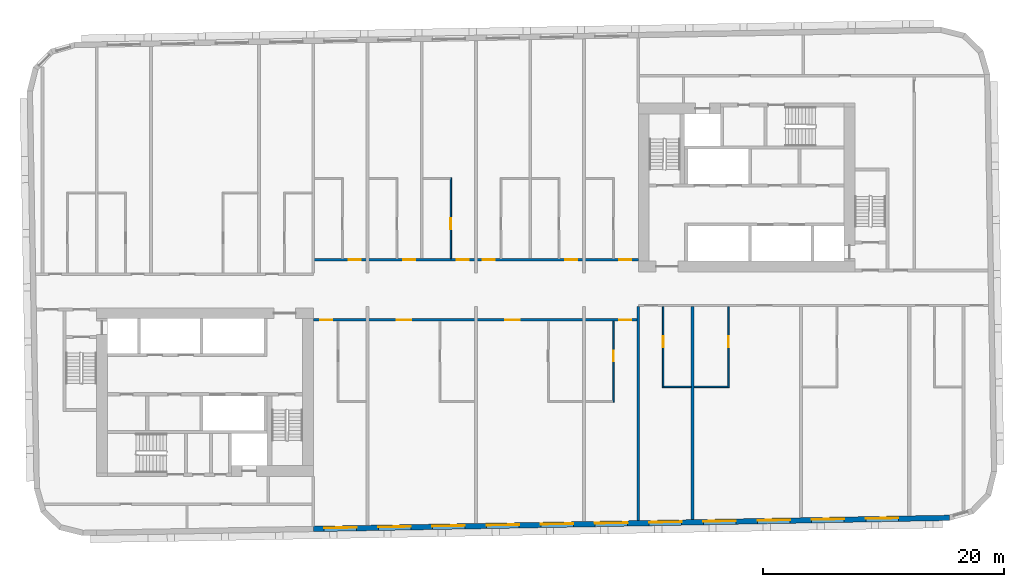
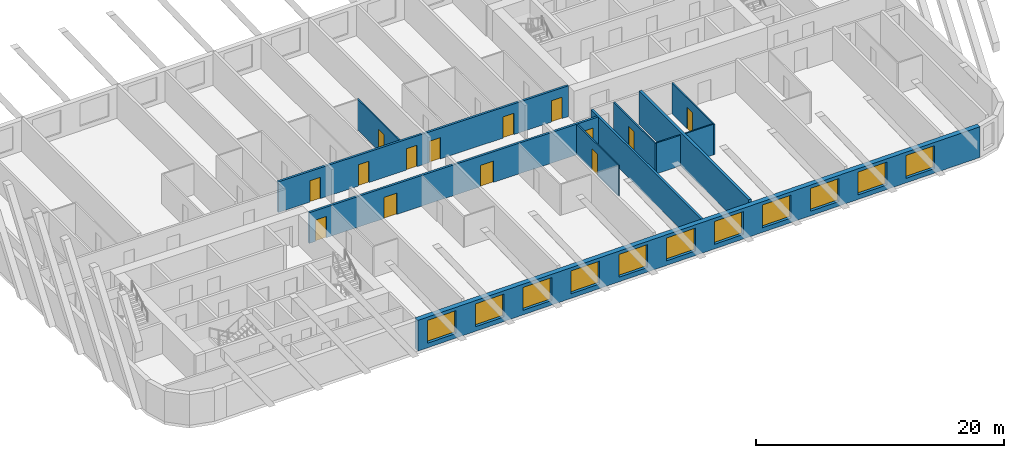
# One storey, part 4 of 12: 14 doors, 11 walls, 11 windows, 25 openings.
"""IFC4 building model written with IfcOpenShell, lengths in metres."""

from ifc_helpers import new_model, si_unit, direction, frame, frame_2d, origin, place, context, subcontext, project, spatial, rectangle, extrude, material, layer, layer_set, type_object, element, fill, save


model = new_model("IFC4")

# Units and contexts
model_context = context("Model", 3, precision=1e-05, world=origin(), true_north=direction((0.0, 1.0)))
body_context = subcontext(model_context, "Body", "Model", "MODEL_VIEW")
ifc_project = project(units=[si_unit("LENGTHUNIT", "METRE"), si_unit("AREAUNIT", "SQUARE_METRE"), si_unit("VOLUMEUNIT", "CUBIC_METRE"), si_unit("PLANEANGLEUNIT", "RADIAN"), si_unit("MASSUNIT", "GRAM", prefix="KILO")], contexts=[model_context])

# Site, building, storey
site_placement = place(None, origin())
site = spatial("IfcSite", under=ifc_project, at=site_placement, CompositionType="ELEMENT")
building_placement = place(site_placement, origin())
building = spatial("IfcBuilding", under=site, at=building_placement, Name="Kajstack Hotel Tower", CompositionType="ELEMENT")
storey_placement = place(building_placement, frame((0.0, 0.0, 217.699951171875)))
storey = spatial("IfcBuildingStorey", under=building, at=storey_placement, Name="L52", CompositionType="ELEMENT", Elevation=217.699951171875)

# Wall, openings, doors
ifc_material_1 = material(Name="Gypsum board on steel studs, mineral wool", Category="steel")
ifc_layer_1 = layer(ifc_material_1, 0.199951171875)
ifc_layer_set_1 = layer_set([ifc_layer_1], Name="Corridor wall 200")
wall_type_1 = type_object("IfcWallType", Name="Corridor wall 200", PredefinedType="PARTITIONING", material=ifc_layer_set_1)
wall_1_placement = place(storey_placement, frame((-13.5, 2.5, 0.0), z_axis=(0.0, 0.0, 1.0), x_axis=(1.0, 0.0, 0.0)))
wall_1 = element("IfcWall", 1, at=wall_1_placement, inside=storey, type_object=wall_type_1, Name="G-wall-L52-004", PredefinedType="PARTITIONING", context=body_context, shape_type="SweptSolid", body=[
    extrude(rectangle(XDim=27.0, YDim=0.199951171875, at=frame_2d((13.5, 0.0))), origin(), (0.0, 0.0, 1.0), 3.02001953125),
])
opening_1_placement = place(wall_1_placement, frame((2.925048828125, 0.0, 0.0)))
opening_1 = element("IfcOpeningElement", 2, at=opening_1_placement, cuts=wall_1, Name="Opening 52009", PredefinedType="OPENING", context=body_context, shape_type="SweptSolid", body=[
    extrude(rectangle(XDim=1.0, YDim=2.10009765625, at=frame_2d((0.5, 1.050048828125))), frame((0.0, 0.10986328125, 0.0), z_axis=(0.0, -1.0, 0.0), x_axis=(1.0, 0.0, 0.0)), (0.0, 0.0, 1.0), 0.219970703125),
])
opening_2_placement = place(wall_1_placement, frame((7.449951171875, 0.0, 0.0)))
opening_2 = element("IfcOpeningElement", 3, at=opening_2_placement, cuts=wall_1, Name="Opening 52011", PredefinedType="OPENING", context=body_context, shape_type="SweptSolid", body=[
    extrude(rectangle(XDim=1.0, YDim=2.10009765625, at=frame_2d((0.5, 1.050048828125))), frame((0.0, 0.10986328125, 0.0), z_axis=(0.0, -1.0, 0.0), x_axis=(1.0, 0.0, 0.0)), (0.0, 0.0, 1.0), 0.219970703125),
])
opening_3_placement = place(wall_1_placement, frame((11.925048828125, 0.0, 0.0)))
opening_3 = element("IfcOpeningElement", 4, at=opening_3_placement, cuts=wall_1, Name="Opening 52013", PredefinedType="OPENING", context=body_context, shape_type="SweptSolid", body=[
    extrude(rectangle(XDim=1.0, YDim=2.10009765625, at=frame_2d((0.5, 1.050048828125))), frame((0.0, 0.10986328125, 0.0), z_axis=(0.0, -1.0, 0.0), x_axis=(1.0, 0.0, 0.0)), (0.0, 0.0, 1.0), 0.219970703125),
])
opening_4_placement = place(wall_1_placement, frame((14.074951171875, 0.0, 0.0)))
opening_4 = element("IfcOpeningElement", 5, at=opening_4_placement, cuts=wall_1, Name="Opening 52015", PredefinedType="OPENING", context=body_context, shape_type="SweptSolid", body=[
    extrude(rectangle(XDim=1.0, YDim=2.10009765625, at=frame_2d((0.5, 1.050048828125))), frame((0.0, 0.10986328125, 0.0), z_axis=(0.0, -1.0, 0.0), x_axis=(1.0, 0.0, 0.0)), (0.0, 0.0, 1.0), 0.219970703125),
])
opening_5_placement = place(wall_1_placement, frame((20.925048828125, 0.0, 0.0)))
opening_5 = element("IfcOpeningElement", 6, at=opening_5_placement, cuts=wall_1, Name="Opening 52017", PredefinedType="OPENING", context=body_context, shape_type="SweptSolid", body=[
    extrude(rectangle(XDim=1.0, YDim=2.10009765625, at=frame_2d((0.5, 1.050048828125))), frame((0.0, 0.10986328125, 0.0), z_axis=(0.0, -1.0, 0.0), x_axis=(1.0, 0.0, 0.0)), (0.0, 0.0, 1.0), 0.219970703125),
])
opening_6_placement = place(wall_1_placement, frame((25.425048828125, 0.0, 0.0)))
opening_6 = element("IfcOpeningElement", 7, at=opening_6_placement, cuts=wall_1, Name="Opening 52019", PredefinedType="OPENING", context=body_context, shape_type="SweptSolid", body=[
    extrude(rectangle(XDim=1.0, YDim=2.10009765625, at=frame_2d((0.5, 1.050048828125))), frame((0.0, 0.10986328125, 0.0), z_axis=(0.0, -1.0, 0.0), x_axis=(1.0, 0.0, 0.0)), (0.0, 0.0, 1.0), 0.219970703125),
])
ifc_material_2 = material(Name="Oak veneer on timber core, fire-rated leaf", Category="wood")
door_type_1 = type_object("IfcDoorType", Name="Flat entrance door 1000", OperationType="SINGLE_SWING_LEFT", PredefinedType="DOOR", material=ifc_material_2)
door_1_placement = place(opening_1_placement, origin())
door_1 = element("IfcDoor", 8, at=door_1_placement, inside=storey, type_object=door_type_1, Name="G-door-L52-09", OperationType="SINGLE_SWING_RIGHT", OverallHeight=2.10009765625, OverallWidth=1.0, PredefinedType="DOOR", context=body_context, shape_type="SweptSolid", body=[
    extrude(rectangle(XDim=1.0, YDim=2.10009765625, at=frame_2d((0.5, 1.050048828125))), frame((0.0, 0.02490234375, 0.0), z_axis=(0.0, -1.0, 0.0), x_axis=(1.0, 0.0, 0.0)), (0.0, 0.0, 1.0), 0.050048828125),
])
fill(opening_1, door_1)
door_2_placement = place(opening_2_placement, origin())
door_2 = element("IfcDoor", 9, at=door_2_placement, inside=storey, type_object=door_type_1, Name="G-door-L52-11", OperationType="SINGLE_SWING_LEFT", OverallHeight=2.10009765625, OverallWidth=1.0, PredefinedType="DOOR", context=body_context, shape_type="SweptSolid", body=[
    extrude(rectangle(XDim=1.0, YDim=2.10009765625, at=frame_2d((0.5, 1.050048828125))), frame((0.0, 0.02490234375, 0.0), z_axis=(0.0, -1.0, 0.0), x_axis=(1.0, 0.0, 0.0)), (0.0, 0.0, 1.0), 0.050048828125),
])
fill(opening_2, door_2)
door_3_placement = place(opening_3_placement, origin())
door_3 = element("IfcDoor", 10, at=door_3_placement, inside=storey, type_object=door_type_1, Name="G-door-L52-13", OperationType="SINGLE_SWING_LEFT", OverallHeight=2.10009765625, OverallWidth=1.0, PredefinedType="DOOR", context=body_context, shape_type="SweptSolid", body=[
    extrude(rectangle(XDim=1.0, YDim=2.10009765625, at=frame_2d((0.5, 1.050048828125))), frame((0.0, 0.02490234375, 0.0), z_axis=(0.0, -1.0, 0.0), x_axis=(1.0, 0.0, 0.0)), (0.0, 0.0, 1.0), 0.050048828125),
])
fill(opening_3, door_3)
door_4_placement = place(opening_4_placement, origin())
door_4 = element("IfcDoor", 11, at=door_4_placement, inside=storey, type_object=door_type_1, Name="G-door-L52-15", OperationType="SINGLE_SWING_RIGHT", OverallHeight=2.10009765625, OverallWidth=1.0, PredefinedType="DOOR", context=body_context, shape_type="SweptSolid", body=[
    extrude(rectangle(XDim=1.0, YDim=2.10009765625, at=frame_2d((0.5, 1.050048828125))), frame((0.0, 0.02490234375, 0.0), z_axis=(0.0, -1.0, 0.0), x_axis=(1.0, 0.0, 0.0)), (0.0, 0.0, 1.0), 0.050048828125),
])
fill(opening_4, door_4)
door_5_placement = place(opening_5_placement, origin())
door_5 = element("IfcDoor", 12, at=door_5_placement, inside=storey, type_object=door_type_1, Name="G-door-L52-17", OperationType="SINGLE_SWING_RIGHT", OverallHeight=2.10009765625, OverallWidth=1.0, PredefinedType="DOOR", context=body_context, shape_type="SweptSolid", body=[
    extrude(rectangle(XDim=1.0, YDim=2.10009765625, at=frame_2d((0.5, 1.050048828125))), frame((0.0, 0.02490234375, 0.0), z_axis=(0.0, -1.0, 0.0), x_axis=(1.0, 0.0, 0.0)), (0.0, 0.0, 1.0), 0.050048828125),
])
fill(opening_5, door_5)
door_6_placement = place(opening_6_placement, origin())
door_6 = element("IfcDoor", 13, at=door_6_placement, inside=storey, type_object=door_type_1, Name="G-door-L52-19", OperationType="SINGLE_SWING_LEFT", OverallHeight=2.10009765625, OverallWidth=1.0, PredefinedType="DOOR", context=body_context, shape_type="SweptSolid", body=[
    extrude(rectangle(XDim=1.0, YDim=2.10009765625, at=frame_2d((0.5, 1.050048828125))), frame((0.0, 0.02490234375, 0.0), z_axis=(0.0, -1.0, 0.0), x_axis=(1.0, 0.0, 0.0)), (0.0, 0.0, 1.0), 0.050048828125),
])
fill(opening_6, door_6)

wall_2_placement = place(storey_placement, frame((-13.5, -2.5, 0.0), z_axis=(0.0, 0.0, 1.0), x_axis=(1.0, 0.0, 0.0)))
wall_2 = element("IfcWall", 14, at=wall_2_placement, inside=storey, type_object=wall_type_1, Name="G-wall-L52-029", PredefinedType="PARTITIONING", context=body_context, shape_type="SweptSolid", body=[
    extrude(rectangle(XDim=27.0, YDim=0.199951171875, at=frame_2d((13.5, 0.0))), origin(), (0.0, 0.0, 1.0), 3.02001953125),
])
opening_7_placement = place(wall_2_placement, frame((0.574951171875, 0.0, 0.0)))
opening_7 = element("IfcOpeningElement", 15, at=opening_7_placement, cuts=wall_2, Name="Opening 52021", PredefinedType="OPENING", context=body_context, shape_type="SweptSolid", body=[
    extrude(rectangle(XDim=1.0, YDim=2.10009765625, at=frame_2d((0.5, 1.050048828125))), frame((0.0, 0.10986328125, 0.0), z_axis=(0.0, -1.0, 0.0), x_axis=(1.0, 0.0, 0.0)), (0.0, 0.0, 1.0), 0.219970703125),
])
opening_8_placement = place(wall_2_placement, frame((6.93798828125, 0.0, 0.0)))
opening_8 = element("IfcOpeningElement", 16, at=opening_8_placement, cuts=wall_2, Name="Opening 52023", PredefinedType="OPENING", context=body_context, shape_type="SweptSolid", body=[
    extrude(rectangle(XDim=1.199951171875, YDim=2.10009765625, at=frame_2d((0.60009765625, 1.050048828125))), frame((0.0, 0.10986328125, 0.0), z_axis=(0.0, -1.0, 0.0), x_axis=(1.0, 0.0, 0.0)), (0.0, 0.0, 1.0), 0.219970703125),
])
opening_9_placement = place(wall_2_placement, frame((15.93798828125, 0.0, 0.0)))
opening_9 = element("IfcOpeningElement", 17, at=opening_9_placement, cuts=wall_2, Name="Opening 52025", PredefinedType="OPENING", context=body_context, shape_type="SweptSolid", body=[
    extrude(rectangle(XDim=1.199951171875, YDim=2.10009765625, at=frame_2d((0.60009765625, 1.050048828125))), frame((0.0, 0.10986328125, 0.0), z_axis=(0.0, -1.0, 0.0), x_axis=(1.0, 0.0, 0.0)), (0.0, 0.0, 1.0), 0.219970703125),
])
opening_10_placement = place(wall_2_placement, frame((25.425048828125, 0.0, 0.0)))
opening_10 = element("IfcOpeningElement", 18, at=opening_10_placement, cuts=wall_2, Name="Opening 52027", PredefinedType="OPENING", context=body_context, shape_type="SweptSolid", body=[
    extrude(rectangle(XDim=1.0, YDim=2.10009765625, at=frame_2d((0.5, 1.050048828125))), frame((0.0, 0.10986328125, 0.0), z_axis=(0.0, -1.0, 0.0), x_axis=(1.0, 0.0, 0.0)), (0.0, 0.0, 1.0), 0.219970703125),
])
door_7_placement = place(opening_7_placement, origin())
door_7 = element("IfcDoor", 19, at=door_7_placement, inside=storey, type_object=door_type_1, Name="G-door-L52-21", OperationType="SINGLE_SWING_LEFT", OverallHeight=2.10009765625, OverallWidth=1.0, PredefinedType="DOOR", context=body_context, shape_type="SweptSolid", body=[
    extrude(rectangle(XDim=1.0, YDim=2.10009765625, at=frame_2d((0.5, 1.050048828125))), frame((0.0, 0.02490234375, 0.0), z_axis=(0.0, -1.0, 0.0), x_axis=(1.0, 0.0, 0.0)), (0.0, 0.0, 1.0), 0.050048828125),
])
fill(opening_7, door_7)
door_8_placement = place(opening_10_placement, origin())
door_8 = element("IfcDoor", 20, at=door_8_placement, inside=storey, type_object=door_type_1, Name="G-door-L52-27", OperationType="SINGLE_SWING_RIGHT", OverallHeight=2.10009765625, OverallWidth=1.0, PredefinedType="DOOR", context=body_context, shape_type="SweptSolid", body=[
    extrude(rectangle(XDim=1.0, YDim=2.10009765625, at=frame_2d((0.5, 1.050048828125))), frame((0.0, 0.02490234375, 0.0), z_axis=(0.0, -1.0, 0.0), x_axis=(1.0, 0.0, 0.0)), (0.0, 0.0, 1.0), 0.050048828125),
])
fill(opening_10, door_8)
door_type_2 = type_object("IfcDoorType", Name="Flat entrance door 1200", OperationType="SINGLE_SWING_LEFT", PredefinedType="DOOR", material=ifc_material_2)
door_9_placement = place(opening_8_placement, origin())
door_9 = element("IfcDoor", 21, at=door_9_placement, inside=storey, type_object=door_type_2, Name="G-door-L52-23", OperationType="SINGLE_SWING_RIGHT", OverallHeight=2.10009765625, OverallWidth=1.199951171875, PredefinedType="DOOR", context=body_context, shape_type="SweptSolid", body=[
    extrude(rectangle(XDim=1.199951171875, YDim=2.10009765625, at=frame_2d((0.60009765625, 1.050048828125))), frame((0.0, 0.02490234375, 0.0), z_axis=(0.0, -1.0, 0.0), x_axis=(1.0, 0.0, 0.0)), (0.0, 0.0, 1.0), 0.050048828125),
])
fill(opening_8, door_9)
door_10_placement = place(opening_9_placement, origin())
door_10 = element("IfcDoor", 22, at=door_10_placement, inside=storey, type_object=door_type_2, Name="G-door-L52-25", OperationType="SINGLE_SWING_RIGHT", OverallHeight=2.10009765625, OverallWidth=1.199951171875, PredefinedType="DOOR", context=body_context, shape_type="SweptSolid", body=[
    extrude(rectangle(XDim=1.199951171875, YDim=2.10009765625, at=frame_2d((0.60009765625, 1.050048828125))), frame((0.0, 0.02490234375, 0.0), z_axis=(0.0, -1.0, 0.0), x_axis=(1.0, 0.0, 0.0)), (0.0, 0.0, 1.0), 0.050048828125),
])
fill(opening_9, door_10)

# Wall
ifc_material_3 = material(Name="Twin-frame gypsum board on steel studs, mineral wool", Category="steel")
ifc_layer_2 = layer(ifc_material_3, 0.199951171875)
ifc_layer_set_2 = layer_set([ifc_layer_2], Name="Demising wall 200")
wall_type_2 = type_object("IfcWallType", Name="Demising wall 200", PredefinedType="PARTITIONING", material=ifc_layer_set_2)
wall_3_placement = place(storey_placement, frame((13.5, -19.169921875, 0.0), z_axis=(0.0, 0.0, 1.0), x_axis=(0.0, 1.0, 0.0)))
element("IfcWall", 23, at=wall_3_placement, inside=storey, type_object=wall_type_2, Name="G-wall-L52-037", PredefinedType="PARTITIONING", context=body_context, shape_type="SweptSolid", body=[
    extrude(rectangle(XDim=17.77001953125, YDim=0.199951171875, at=frame_2d((8.885009765625, 0.0))), origin(), (0.0, 0.0, 1.0), 3.02001953125),
])

# Wall, openings, windows
ifc_material_4 = material(Name="Terracotta-faced brick masonry", Category="masonry")
ifc_layer_3 = layer(ifc_material_4, 0.449951171875)
ifc_layer_set_3 = layer_set([ifc_layer_3], Name="EW-TERRA")
wall_type_3 = type_object("IfcWallType", Name="EW-TERRA", PredefinedType="SOLIDWALL", material=ifc_layer_set_3)
wall_4_placement = place(storey_placement, frame((-13.50390625, -19.8662109375, 0.0), z_axis=(0.0, 0.0, 1.0), x_axis=(0.999847672978, 0.017453676992, 0.0)))
wall_4 = element("IfcWall", 24, at=wall_4_placement, inside=storey, type_object=wall_type_3, Name="E-wall-L52-04-02", PredefinedType="SOLIDWALL", context=body_context, shape_type="SweptSolid", body=[
    extrude(rectangle(XDim=52.8603515625, YDim=0.449951171875, at=frame_2d((26.43017578125, 0.0))), origin(), (0.0, 0.0, 1.0), 3.02001953125),
])
opening_11_placement = place(wall_4_placement, frame((0.900390625, 0.0, 0.449951171875)))
opening_11 = element("IfcOpeningElement", 25, at=opening_11_placement, cuts=wall_4, Name="Opening W1", PredefinedType="OPENING", context=body_context, shape_type="SweptSolid", body=[
    extrude(rectangle(XDim=2.699951171875, YDim=2.25, at=frame_2d((1.35009765625, 1.125))), frame((0.0, 0.23486328125, 0.0), z_axis=(0.0, -1.0, 0.0), x_axis=(1.0, 0.0, 0.0)), (0.0, 0.0, 1.0), 0.469970703125),
])
opening_12_placement = place(wall_4_placement, frame((5.40087890625, 0.0, 0.449951171875)))
opening_12 = element("IfcOpeningElement", 26, at=opening_12_placement, cuts=wall_4, Name="Opening W1", PredefinedType="OPENING", context=body_context, shape_type="SweptSolid", body=[
    extrude(rectangle(XDim=2.699951171875, YDim=2.25, at=frame_2d((1.35009765625, 1.125))), frame((0.0, 0.23486328125, 0.0), z_axis=(0.0, -1.0, 0.0), x_axis=(1.0, 0.0, 0.0)), (0.0, 0.0, 1.0), 0.469970703125),
])
opening_13_placement = place(wall_4_placement, frame((9.901611328125, 0.0, 0.449951171875)))
opening_13 = element("IfcOpeningElement", 27, at=opening_13_placement, cuts=wall_4, Name="Opening W1", PredefinedType="OPENING", context=body_context, shape_type="SweptSolid", body=[
    extrude(rectangle(XDim=2.699951171875, YDim=2.25, at=frame_2d((1.35009765625, 1.125))), frame((0.0, 0.23486328125, 0.0), z_axis=(0.0, -1.0, 0.0), x_axis=(1.0, 0.0, 0.0)), (0.0, 0.0, 1.0), 0.469970703125),
])
opening_14_placement = place(wall_4_placement, frame((14.40234375, 0.0, 0.449951171875)))
opening_14 = element("IfcOpeningElement", 28, at=opening_14_placement, cuts=wall_4, Name="Opening W1", PredefinedType="OPENING", context=body_context, shape_type="SweptSolid", body=[
    extrude(rectangle(XDim=2.699951171875, YDim=2.25, at=frame_2d((1.35009765625, 1.125))), frame((0.0, 0.23486328125, 0.0), z_axis=(0.0, -1.0, 0.0), x_axis=(1.0, 0.0, 0.0)), (0.0, 0.0, 1.0), 0.469970703125),
])
opening_15_placement = place(wall_4_placement, frame((18.903076171875, 0.0, 0.449951171875)))
opening_15 = element("IfcOpeningElement", 29, at=opening_15_placement, cuts=wall_4, Name="Opening W1", PredefinedType="OPENING", context=body_context, shape_type="SweptSolid", body=[
    extrude(rectangle(XDim=2.699951171875, YDim=2.25, at=frame_2d((1.35009765625, 1.125))), frame((0.0, 0.23486328125, 0.0), z_axis=(0.0, -1.0, 0.0), x_axis=(1.0, 0.0, 0.0)), (0.0, 0.0, 1.0), 0.469970703125),
])
opening_16_placement = place(wall_4_placement, frame((23.40380859375, 0.0, 0.449951171875)))
opening_16 = element("IfcOpeningElement", 30, at=opening_16_placement, cuts=wall_4, Name="Opening W1", PredefinedType="OPENING", context=body_context, shape_type="SweptSolid", body=[
    extrude(rectangle(XDim=2.699951171875, YDim=2.25, at=frame_2d((1.35009765625, 1.125))), frame((0.0, 0.23486328125, 0.0), z_axis=(0.0, -1.0, 0.0), x_axis=(1.0, 0.0, 0.0)), (0.0, 0.0, 1.0), 0.469970703125),
])
opening_17_placement = place(wall_4_placement, frame((27.904296875, 0.0, 0.449951171875)))
opening_17 = element("IfcOpeningElement", 31, at=opening_17_placement, cuts=wall_4, Name="Opening W1", PredefinedType="OPENING", context=body_context, shape_type="SweptSolid", body=[
    extrude(rectangle(XDim=2.699951171875, YDim=2.25, at=frame_2d((1.35009765625, 1.125))), frame((0.0, 0.23486328125, 0.0), z_axis=(0.0, -1.0, 0.0), x_axis=(1.0, 0.0, 0.0)), (0.0, 0.0, 1.0), 0.469970703125),
])
opening_18_placement = place(wall_4_placement, frame((32.405029296875, 0.0, 0.449951171875)))
opening_18 = element("IfcOpeningElement", 32, at=opening_18_placement, cuts=wall_4, Name="Opening W1", PredefinedType="OPENING", context=body_context, shape_type="SweptSolid", body=[
    extrude(rectangle(XDim=2.699951171875, YDim=2.25, at=frame_2d((1.35009765625, 1.125))), frame((0.0, 0.23486328125, 0.0), z_axis=(0.0, -1.0, 0.0), x_axis=(1.0, 0.0, 0.0)), (0.0, 0.0, 1.0), 0.469970703125),
])
opening_19_placement = place(wall_4_placement, frame((36.90576171875, 0.0, 0.449951171875)))
opening_19 = element("IfcOpeningElement", 33, at=opening_19_placement, cuts=wall_4, Name="Opening W1", PredefinedType="OPENING", context=body_context, shape_type="SweptSolid", body=[
    extrude(rectangle(XDim=2.699951171875, YDim=2.25, at=frame_2d((1.35009765625, 1.125))), frame((0.0, 0.23486328125, 0.0), z_axis=(0.0, -1.0, 0.0), x_axis=(1.0, 0.0, 0.0)), (0.0, 0.0, 1.0), 0.469970703125),
])
opening_20_placement = place(wall_4_placement, frame((41.406494140625, 0.0, 0.449951171875)))
opening_20 = element("IfcOpeningElement", 34, at=opening_20_placement, cuts=wall_4, Name="Opening W1", PredefinedType="OPENING", context=body_context, shape_type="SweptSolid", body=[
    extrude(rectangle(XDim=2.699951171875, YDim=2.25, at=frame_2d((1.35009765625, 1.125))), frame((0.0, 0.23486328125, 0.0), z_axis=(0.0, -1.0, 0.0), x_axis=(1.0, 0.0, 0.0)), (0.0, 0.0, 1.0), 0.469970703125),
])
opening_21_placement = place(wall_4_placement, frame((45.9072265625, 0.0, 0.449951171875)))
opening_21 = element("IfcOpeningElement", 35, at=opening_21_placement, cuts=wall_4, Name="Opening W1", PredefinedType="OPENING", context=body_context, shape_type="SweptSolid", body=[
    extrude(rectangle(XDim=2.699951171875, YDim=2.25, at=frame_2d((1.35009765625, 1.125))), frame((0.0, 0.23486328125, 0.0), z_axis=(0.0, -1.0, 0.0), x_axis=(1.0, 0.0, 0.0)), (0.0, 0.0, 1.0), 0.469970703125),
])
ifc_material_5 = material(Name="Timber-aluminium window, triple glazed", Category="wood")
window_type = type_object("IfcWindowType", Name="WG1", PartitioningType="SINGLE_PANEL", PredefinedType="WINDOW", material=ifc_material_5)
window_1_placement = place(opening_11_placement, origin())
window_1 = element("IfcWindow", 36, at=window_1_placement, inside=storey, type_object=window_type, Name="Window W1 L52-04", OverallHeight=2.25, OverallWidth=2.699951171875, PartitioningType="SINGLE_PANEL", PredefinedType="WINDOW", context=body_context, shape_type="SweptSolid", body=[
    extrude(rectangle(XDim=2.699951171875, YDim=2.25, at=frame_2d((1.35009765625, 1.125))), frame((0.0, 0.090087890625, 0.0), z_axis=(0.0, -1.0, 0.0), x_axis=(1.0, 0.0, 0.0)), (0.0, 0.0, 1.0), 0.06005859375),
])
fill(opening_11, window_1)
window_2_placement = place(opening_12_placement, origin())
window_2 = element("IfcWindow", 37, at=window_2_placement, inside=storey, type_object=window_type, Name="Window W1 L52-04", OverallHeight=2.25, OverallWidth=2.699951171875, PartitioningType="SINGLE_PANEL", PredefinedType="WINDOW", context=body_context, shape_type="SweptSolid", body=[
    extrude(rectangle(XDim=2.699951171875, YDim=2.25, at=frame_2d((1.35009765625, 1.125))), frame((0.0, 0.090087890625, 0.0), z_axis=(0.0, -1.0, 0.0), x_axis=(1.0, 0.0, 0.0)), (0.0, 0.0, 1.0), 0.06005859375),
])
fill(opening_12, window_2)
window_3_placement = place(opening_13_placement, origin())
window_3 = element("IfcWindow", 38, at=window_3_placement, inside=storey, type_object=window_type, Name="Window W1 L52-04", OverallHeight=2.25, OverallWidth=2.699951171875, PartitioningType="SINGLE_PANEL", PredefinedType="WINDOW", context=body_context, shape_type="SweptSolid", body=[
    extrude(rectangle(XDim=2.699951171875, YDim=2.25, at=frame_2d((1.35009765625, 1.125))), frame((0.0, 0.090087890625, 0.0), z_axis=(0.0, -1.0, 0.0), x_axis=(1.0, 0.0, 0.0)), (0.0, 0.0, 1.0), 0.06005859375),
])
fill(opening_13, window_3)
window_4_placement = place(opening_14_placement, origin())
window_4 = element("IfcWindow", 39, at=window_4_placement, inside=storey, type_object=window_type, Name="Window W1 L52-04", OverallHeight=2.25, OverallWidth=2.699951171875, PartitioningType="SINGLE_PANEL", PredefinedType="WINDOW", context=body_context, shape_type="SweptSolid", body=[
    extrude(rectangle(XDim=2.699951171875, YDim=2.25, at=frame_2d((1.35009765625, 1.125))), frame((0.0, 0.090087890625, 0.0), z_axis=(0.0, -1.0, 0.0), x_axis=(1.0, 0.0, 0.0)), (0.0, 0.0, 1.0), 0.06005859375),
])
fill(opening_14, window_4)
window_5_placement = place(opening_15_placement, origin())
window_5 = element("IfcWindow", 40, at=window_5_placement, inside=storey, type_object=window_type, Name="Window W1 L52-04", OverallHeight=2.25, OverallWidth=2.699951171875, PartitioningType="SINGLE_PANEL", PredefinedType="WINDOW", context=body_context, shape_type="SweptSolid", body=[
    extrude(rectangle(XDim=2.699951171875, YDim=2.25, at=frame_2d((1.35009765625, 1.125))), frame((0.0, 0.090087890625, 0.0), z_axis=(0.0, -1.0, 0.0), x_axis=(1.0, 0.0, 0.0)), (0.0, 0.0, 1.0), 0.06005859375),
])
fill(opening_15, window_5)
window_6_placement = place(opening_16_placement, origin())
window_6 = element("IfcWindow", 41, at=window_6_placement, inside=storey, type_object=window_type, Name="Window W1 L52-04", OverallHeight=2.25, OverallWidth=2.699951171875, PartitioningType="SINGLE_PANEL", PredefinedType="WINDOW", context=body_context, shape_type="SweptSolid", body=[
    extrude(rectangle(XDim=2.699951171875, YDim=2.25, at=frame_2d((1.35009765625, 1.125))), frame((0.0, 0.090087890625, 0.0), z_axis=(0.0, -1.0, 0.0), x_axis=(1.0, 0.0, 0.0)), (0.0, 0.0, 1.0), 0.06005859375),
])
fill(opening_16, window_6)
window_7_placement = place(opening_17_placement, origin())
window_7 = element("IfcWindow", 42, at=window_7_placement, inside=storey, type_object=window_type, Name="Window W1 L52-04", OverallHeight=2.25, OverallWidth=2.699951171875, PartitioningType="SINGLE_PANEL", PredefinedType="WINDOW", context=body_context, shape_type="SweptSolid", body=[
    extrude(rectangle(XDim=2.699951171875, YDim=2.25, at=frame_2d((1.35009765625, 1.125))), frame((0.0, 0.090087890625, 0.0), z_axis=(0.0, -1.0, 0.0), x_axis=(1.0, 0.0, 0.0)), (0.0, 0.0, 1.0), 0.06005859375),
])
fill(opening_17, window_7)
window_8_placement = place(opening_18_placement, origin())
window_8 = element("IfcWindow", 43, at=window_8_placement, inside=storey, type_object=window_type, Name="Window W1 L52-04", OverallHeight=2.25, OverallWidth=2.699951171875, PartitioningType="SINGLE_PANEL", PredefinedType="WINDOW", context=body_context, shape_type="SweptSolid", body=[
    extrude(rectangle(XDim=2.699951171875, YDim=2.25, at=frame_2d((1.35009765625, 1.125))), frame((0.0, 0.090087890625, 0.0), z_axis=(0.0, -1.0, 0.0), x_axis=(1.0, 0.0, 0.0)), (0.0, 0.0, 1.0), 0.06005859375),
])
fill(opening_18, window_8)
window_9_placement = place(opening_19_placement, origin())
window_9 = element("IfcWindow", 44, at=window_9_placement, inside=storey, type_object=window_type, Name="Window W1 L52-04", OverallHeight=2.25, OverallWidth=2.699951171875, PartitioningType="SINGLE_PANEL", PredefinedType="WINDOW", context=body_context, shape_type="SweptSolid", body=[
    extrude(rectangle(XDim=2.699951171875, YDim=2.25, at=frame_2d((1.35009765625, 1.125))), frame((0.0, 0.090087890625, 0.0), z_axis=(0.0, -1.0, 0.0), x_axis=(1.0, 0.0, 0.0)), (0.0, 0.0, 1.0), 0.06005859375),
])
fill(opening_19, window_9)
window_10_placement = place(opening_20_placement, origin())
window_10 = element("IfcWindow", 45, at=window_10_placement, inside=storey, type_object=window_type, Name="Window W1 L52-04", OverallHeight=2.25, OverallWidth=2.699951171875, PartitioningType="SINGLE_PANEL", PredefinedType="WINDOW", context=body_context, shape_type="SweptSolid", body=[
    extrude(rectangle(XDim=2.699951171875, YDim=2.25, at=frame_2d((1.35009765625, 1.125))), frame((0.0, 0.090087890625, 0.0), z_axis=(0.0, -1.0, 0.0), x_axis=(1.0, 0.0, 0.0)), (0.0, 0.0, 1.0), 0.06005859375),
])
fill(opening_20, window_10)
window_11_placement = place(opening_21_placement, origin())
window_11 = element("IfcWindow", 46, at=window_11_placement, inside=storey, type_object=window_type, Name="Window W1 L52-04", OverallHeight=2.25, OverallWidth=2.699951171875, PartitioningType="SINGLE_PANEL", PredefinedType="WINDOW", context=body_context, shape_type="SweptSolid", body=[
    extrude(rectangle(XDim=2.699951171875, YDim=2.25, at=frame_2d((1.35009765625, 1.125))), frame((0.0, 0.090087890625, 0.0), z_axis=(0.0, -1.0, 0.0), x_axis=(1.0, 0.0, 0.0)), (0.0, 0.0, 1.0), 0.06005859375),
])
fill(opening_21, window_11)

# Wall, opening, door
ifc_material_6 = material(Name="Gypsum board and tiled backer on steel studs", Category="steel")
ifc_layer_4 = layer(ifc_material_6, 0.125)
ifc_layer_set_4 = layer_set([ifc_layer_4], Name="En-suite wall 125")
wall_type_4 = type_object("IfcWallType", Name="En-suite wall 125", PredefinedType="PARTITIONING", material=ifc_layer_set_4)
wall_5_placement = place(storey_placement, frame((-2.0869140625, 2.60009765625, 0.0), z_axis=(0.0, 0.0, 1.0), x_axis=(0.0, 1.0, 0.0)))
wall_5 = element("IfcWall", 47, at=wall_5_placement, inside=storey, type_object=wall_type_4, Name="G-wall-L52-020", PredefinedType="PARTITIONING", context=body_context, shape_type="SweptSolid", body=[
    extrude(rectangle(XDim=6.724853515625, YDim=0.125, at=frame_2d((3.3623046875, 0.0))), origin(), (0.0, 0.0, 1.0), 3.02001953125),
])
opening_22_placement = place(wall_5_placement, frame((2.449951171875, 0.0, 0.0)))
opening_22 = element("IfcOpeningElement", 48, at=opening_22_placement, cuts=wall_5, Name="Opening 52014", PredefinedType="OPENING", context=body_context, shape_type="SweptSolid", body=[
    extrude(rectangle(XDim=0.89990234375, YDim=2.10009765625, at=frame_2d((0.449951171875, 1.050048828125))), frame((0.0, 0.072509765625, 0.0), z_axis=(0.0, -1.0, 0.0), x_axis=(1.0, 0.0, 0.0)), (0.0, 0.0, 1.0), 0.14501953125),
])
ifc_material_7 = material(Name="Painted timber door leaf", Category="wood")
door_type_3 = type_object("IfcDoorType", Name="Room door 900", OperationType="SINGLE_SWING_LEFT", PredefinedType="DOOR", material=ifc_material_7)
door_11_placement = place(opening_22_placement, origin())
door_11 = element("IfcDoor", 49, at=door_11_placement, inside=storey, type_object=door_type_3, Name="G-door-L52-14", OperationType="SINGLE_SWING_LEFT", OverallHeight=2.10009765625, OverallWidth=0.89990234375, PredefinedType="DOOR", context=body_context, shape_type="SweptSolid", body=[
    extrude(rectangle(XDim=0.89990234375, YDim=2.10009765625, at=frame_2d((0.449951171875, 1.050048828125))), frame((0.0, 0.02490234375, 0.0), z_axis=(0.0, -1.0, 0.0), x_axis=(1.0, 0.0, 0.0)), (0.0, 0.0, 1.0), 0.050048828125),
])
fill(opening_22, door_11)

wall_6_placement = place(storey_placement, frame((11.43798828125, -9.324951171875, 0.0), z_axis=(0.0, 0.0, 1.0), x_axis=(0.0, 1.0, 0.0)))
wall_6 = element("IfcWall", 50, at=wall_6_placement, inside=storey, type_object=wall_type_4, Name="G-wall-L52-038", PredefinedType="PARTITIONING", context=body_context, shape_type="SweptSolid", body=[
    extrude(rectangle(XDim=6.724853515625, YDim=0.125, at=frame_2d((3.3623046875, 0.0))), origin(), (0.0, 0.0, 1.0), 3.02001953125),
])
opening_23_placement = place(wall_6_placement, frame((3.375, 0.0, 0.0)))
opening_23 = element("IfcOpeningElement", 51, at=opening_23_placement, cuts=wall_6, Name="Opening 52028", PredefinedType="OPENING", context=body_context, shape_type="SweptSolid", body=[
    extrude(rectangle(XDim=0.89990234375, YDim=2.10009765625, at=frame_2d((0.449951171875, 1.050048828125))), frame((0.0, 0.072509765625, 0.0), z_axis=(0.0, -1.0, 0.0), x_axis=(1.0, 0.0, 0.0)), (0.0, 0.0, 1.0), 0.14501953125),
])
door_12_placement = place(opening_23_placement, origin())
door_12 = element("IfcDoor", 52, at=door_12_placement, inside=storey, type_object=door_type_3, Name="G-door-L52-28", OperationType="SINGLE_SWING_LEFT", OverallHeight=2.10009765625, OverallWidth=0.89990234375, PredefinedType="DOOR", context=body_context, shape_type="SweptSolid", body=[
    extrude(rectangle(XDim=0.89990234375, YDim=2.10009765625, at=frame_2d((0.449951171875, 1.050048828125))), frame((0.0, 0.02490234375, 0.0), z_axis=(0.0, -1.0, 0.0), x_axis=(1.0, 0.0, 0.0)), (0.0, 0.0, 1.0), 0.050048828125),
])
fill(opening_23, door_12)

wall_7_placement = place(storey_placement, frame((15.56201171875, -8.125, 0.0), z_axis=(0.0, 0.0, 1.0), x_axis=(0.0, 1.0, 0.0)))
wall_7 = element("IfcWall", 53, at=wall_7_placement, inside=storey, type_object=wall_type_4, Name="G-wall-L52-040", PredefinedType="PARTITIONING", context=body_context, shape_type="SweptSolid", body=[
    extrude(rectangle(XDim=6.72509765625, YDim=0.125, at=frame_2d((3.362548828125, 0.0))), origin(), (0.0, 0.0, 1.0), 3.02001953125),
])
opening_24_placement = place(wall_7_placement, frame((3.375, 0.0, 0.0)))
opening_24 = element("IfcOpeningElement", 54, at=opening_24_placement, cuts=wall_7, Name="Opening 52030", PredefinedType="OPENING", context=body_context, shape_type="SweptSolid", body=[
    extrude(rectangle(XDim=0.89990234375, YDim=2.10009765625, at=frame_2d((0.449951171875, 1.050048828125))), frame((0.0, 0.072509765625, 0.0), z_axis=(0.0, -1.0, 0.0), x_axis=(1.0, 0.0, 0.0)), (0.0, 0.0, 1.0), 0.14501953125),
])
door_13_placement = place(opening_24_placement, origin())
door_13 = element("IfcDoor", 55, at=door_13_placement, inside=storey, type_object=door_type_3, Name="G-door-L52-30", OperationType="SINGLE_SWING_RIGHT", OverallHeight=2.10009765625, OverallWidth=0.89990234375, PredefinedType="DOOR", context=body_context, shape_type="SweptSolid", body=[
    extrude(rectangle(XDim=0.89990234375, YDim=2.10009765625, at=frame_2d((0.449951171875, 1.050048828125))), frame((0.0, 0.02490234375, 0.0), z_axis=(0.0, -1.0, 0.0), x_axis=(1.0, 0.0, 0.0)), (0.0, 0.0, 1.0), 0.050048828125),
])
fill(opening_24, door_13)

# Wall
wall_8_placement = place(storey_placement, frame((15.625, -8.06201171875, 0.0), z_axis=(0.0, 0.0, 1.0), x_axis=(1.0, 0.0, 0.0)))
element("IfcWall", 56, at=wall_8_placement, inside=storey, type_object=wall_type_4, Name="G-wall-L52-041", PredefinedType="PARTITIONING", context=body_context, shape_type="SweptSolid", body=[
    extrude(rectangle(XDim=2.25, YDim=0.125, at=frame_2d((1.125, 0.0))), origin(), (0.0, 0.0, 1.0), 3.02001953125),
])

# Wall, opening, door
wall_9_placement = place(storey_placement, frame((20.988037109375, -8.125, 0.0), z_axis=(0.0, 0.0, 1.0), x_axis=(0.0, 1.0, 0.0)))
wall_9 = element("IfcWall", 57, at=wall_9_placement, inside=storey, type_object=wall_type_4, Name="G-wall-L52-042", PredefinedType="PARTITIONING", context=body_context, shape_type="SweptSolid", body=[
    extrude(rectangle(XDim=6.72509765625, YDim=0.125, at=frame_2d((3.362548828125, 0.0))), origin(), (0.0, 0.0, 1.0), 3.02001953125),
])
opening_25_placement = place(wall_9_placement, frame((3.375, 0.0, 0.0)))
opening_25 = element("IfcOpeningElement", 58, at=opening_25_placement, cuts=wall_9, Name="Opening 52032", PredefinedType="OPENING", context=body_context, shape_type="SweptSolid", body=[
    extrude(rectangle(XDim=0.89990234375, YDim=2.10009765625, at=frame_2d((0.449951171875, 1.050048828125))), frame((0.0, 0.072509765625, 0.0), z_axis=(0.0, -1.0, 0.0), x_axis=(1.0, 0.0, 0.0)), (0.0, 0.0, 1.0), 0.14501953125),
])
door_14_placement = place(opening_25_placement, origin())
door_14 = element("IfcDoor", 59, at=door_14_placement, inside=storey, type_object=door_type_3, Name="G-door-L52-32", OperationType="SINGLE_SWING_LEFT", OverallHeight=2.10009765625, OverallWidth=0.89990234375, PredefinedType="DOOR", context=body_context, shape_type="SweptSolid", body=[
    extrude(rectangle(XDim=0.89990234375, YDim=2.10009765625, at=frame_2d((0.449951171875, 1.050048828125))), frame((0.0, 0.02490234375, 0.0), z_axis=(0.0, -1.0, 0.0), x_axis=(1.0, 0.0, 0.0)), (0.0, 0.0, 1.0), 0.050048828125),
])
fill(opening_25, door_14)

# Walls
wall_10_placement = place(storey_placement, frame((18.125, -8.06201171875, 0.0), z_axis=(0.0, 0.0, 1.0), x_axis=(1.0, 0.0, 0.0)))
element("IfcWall", 60, at=wall_10_placement, inside=storey, type_object=wall_type_4, Name="G-wall-L52-043", PredefinedType="PARTITIONING", context=body_context, shape_type="SweptSolid", body=[
    extrude(rectangle(XDim=2.800048828125, YDim=0.125, at=frame_2d((1.39990234375, 0.0))), origin(), (0.0, 0.0, 1.0), 3.02001953125),
])
ifc_material_8 = material(Name="Concrete C45/55", Category="concrete")
ifc_layer_5 = layer(ifc_material_8, 0.25)
ifc_layer_set_5 = layer_set([ifc_layer_5], Name="RC cross wall 250 C45/55")
wall_type_5 = type_object("IfcWallType", Name="RC cross wall 250 C45/55", PredefinedType="SHEAR", material=ifc_layer_set_5)
wall_11_placement = place(storey_placement, frame((18.0, -19.0791015625, 0.0), z_axis=(0.0, 0.0, 1.0), x_axis=(0.0, 1.0, 0.0)))
element("IfcWall", 61, at=wall_11_placement, inside=storey, type_object=wall_type_5, Name="S-wall-L52-10", PredefinedType="SHEAR", context=body_context, shape_type="SweptSolid", body=[
    extrude(rectangle(XDim=17.67919921875, YDim=0.25, at=frame_2d((8.839599609375, 0.0))), origin(), (0.0, 0.0, 1.0), 3.300048828125),
])

save(model, "model.ifc")
